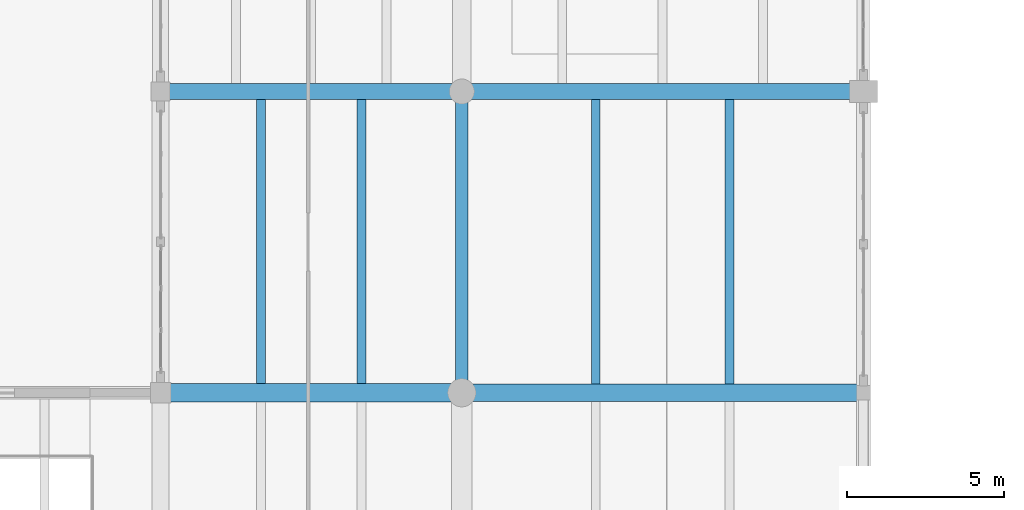
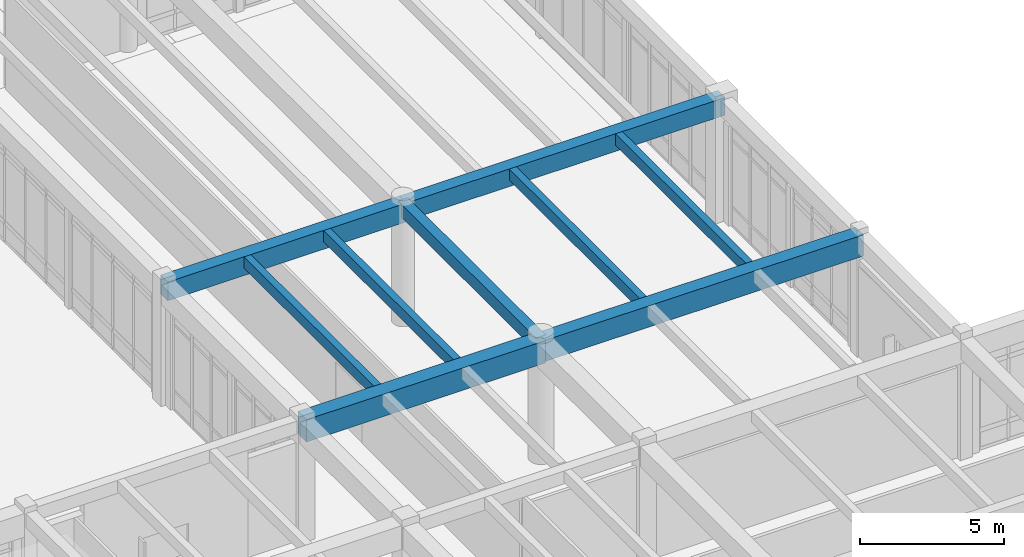
# One storey, part 68 of 138: 9 beams.
"""IFC4 building model written with IfcOpenShell, lengths in metres."""

from ifc_helpers import new_model, si_unit, direction, frame, origin, origin_2d, place, context, subcontext, project, spatial, rectangle, extrude, material, material_profile, profile_set, type_object, element, save


model = new_model("IFC4")

# Units and contexts
model_context = context("Model", 3, precision=1e-05, world=origin(), true_north=direction((0.0, 1.0)))
body_context = subcontext(model_context, "Body", "Model", "MODEL_VIEW")
ifc_project = project(units=[si_unit("LENGTHUNIT", "METRE"), si_unit("AREAUNIT", "SQUARE_METRE"), si_unit("VOLUMEUNIT", "CUBIC_METRE"), si_unit("PLANEANGLEUNIT", "RADIAN"), si_unit("MASSUNIT", "GRAM", prefix="KILO")], contexts=[model_context])

# Site, building, storey
site_placement = place(None, origin())
site = spatial("IfcSite", under=ifc_project, at=site_placement, CompositionType="ELEMENT")
building_placement = place(site_placement, origin())
building = spatial("IfcBuilding", under=site, at=building_placement, Name="Fikremerkos Civic Library", CompositionType="ELEMENT")
storey_placement = place(building_placement, origin())
storey = spatial("IfcBuildingStorey", under=building, at=storey_placement, Name="L00", CompositionType="ELEMENT", Elevation=0.0)

# Beams
ifc_material = material(Name="Concrete C40/50", Category="concrete")
ifc_material_profile_1 = material_profile(ifc_material, rectangle(XDim=0.280029296875, YDim=0.47998046875, at=origin_2d()), Name="RC 280x480")
ifc_profile_set_1 = profile_set([ifc_material_profile_1], Name="Concrete C40/50")
beam_type_1 = type_object("IfcBeamType", Name="Floor joist JS-04 RC 280x480", PredefinedType="JOIST", material=ifc_profile_set_1)
for number, where, z_axis, x_axis, name in (
    (1, (128.0, 48.300048828125, 4.919921875), (0.0, 1.0, 0.0), (-1.0, 0.0, 0.0), "Floor joist JS-04 L00 #362"),
    (2, (131.199951171875, 48.300048828125, 4.919921875), (0.0, 1.0, 0.0), (-1.0, 0.0, 0.0), "Floor joist JS-04 L00 #363"),
):
    element("IfcBeam", number, at=place(storey_placement, frame(where, z_axis=z_axis, x_axis=x_axis)), inside=storey, type_object=beam_type_1, Name=name, PredefinedType="JOIST", context=body_context, shape_type="SweptSolid", body=[
        extrude(rectangle(XDim=0.280029296875, YDim=0.47998046875, at=origin_2d()), origin(), (0.0, 0.0, 1.0), 9.050048828125),
    ])
for number, where, z_axis, x_axis, name in (
    (3, (138.666748046875, 48.27490234375, 4.919921875), (0.0, 1.0, 0.0), (-1.0, 0.0, 0.0), "Floor joist JS-04 L00 #377"),
    (4, (142.933349609375, 48.27490234375, 4.919921875), (0.0, 1.0, 0.0), (-1.0, 0.0, 0.0), "Floor joist JS-04 L00 #378"),
):
    element("IfcBeam", number, at=place(storey_placement, frame(where, z_axis=z_axis, x_axis=x_axis)), inside=storey, type_object=beam_type_1, Name=name, PredefinedType="JOIST", context=body_context, shape_type="SweptSolid", body=[
        extrude(rectangle(XDim=0.280029296875, YDim=0.47998046875, at=origin_2d()), origin(), (0.0, 0.0, 1.0), 9.0751953125),
    ])
ifc_material_profile_2 = material_profile(ifc_material, rectangle(XDim=0.60009765625, YDim=0.949951171875, at=origin_2d()), Name="RC 600x950")
ifc_profile_set_2 = profile_set([ifc_material_profile_2], Name="Concrete C40/50")
beam_type_2 = type_object("IfcBeamType", Name="Primary girder BM-01 RC 600x950", PredefinedType="BEAM", material=ifc_profile_set_2)
beam_1_placement = place(storey_placement, frame((124.800048828125, 48.0, 4.68505859375), z_axis=(1.0, 0.0, 0.0), x_axis=(0.0, 1.0, 0.0)))
element("IfcBeam", 5, at=beam_1_placement, inside=storey, type_object=beam_type_2, Name="Primary girder BM-01 L00 grid J", PredefinedType="BEAM", context=body_context, shape_type="SweptSolid", body=[
    extrude(rectangle(XDim=0.60009765625, YDim=0.949951171875, at=origin_2d()), origin(), (0.0, 0.0, 1.0), 9.599853515625),
])
ifc_material_profile_3 = material_profile(ifc_material, rectangle(XDim=0.550048828125, YDim=0.89990234375, at=origin_2d()), Name="RC 550x900")
ifc_profile_set_3 = profile_set([ifc_material_profile_3], Name="Concrete C40/50")
beam_type_3 = type_object("IfcBeamType", Name="Primary girder BM-02 RC 550x900", PredefinedType="BEAM", material=ifc_profile_set_3)
beam_2_placement = place(storey_placement, frame((134.39990234375, 48.0, 4.7099609375), z_axis=(1.0, 0.0, 0.0), x_axis=(0.0, 1.0, 0.0)))
element("IfcBeam", 6, at=beam_2_placement, inside=storey, type_object=beam_type_3, Name="Primary girder BM-02 L00 grid J", PredefinedType="BEAM", context=body_context, shape_type="SweptSolid", body=[
    extrude(rectangle(XDim=0.550048828125, YDim=0.89990234375, at=origin_2d()), origin(), (0.0, 0.0, 1.0), 12.800048828125),
])
ifc_material_profile_4 = material_profile(ifc_material, rectangle(XDim=0.5, YDim=0.800048828125, at=origin_2d()), Name="RC 500x800")
ifc_profile_set_4 = profile_set([ifc_material_profile_4], Name="Concrete C40/50")
beam_type_4 = type_object("IfcBeamType", Name="Primary girder BM-04 RC 500x800", PredefinedType="BEAM", material=ifc_profile_set_4)
beam_3_placement = place(storey_placement, frame((124.800048828125, 57.60009765625, 4.760009765625), z_axis=(1.0, 0.0, 0.0), x_axis=(0.0, 1.0, 0.0)))
element("IfcBeam", 7, at=beam_3_placement, inside=storey, type_object=beam_type_4, Name="Primary girder BM-04 L00 grid K", PredefinedType="BEAM", context=body_context, shape_type="SweptSolid", body=[
    extrude(rectangle(XDim=0.5, YDim=0.800048828125, at=origin_2d()), origin(), (0.0, 0.0, 1.0), 9.599853515625),
])
ifc_material_profile_5 = material_profile(ifc_material, rectangle(XDim=0.5, YDim=0.75, at=origin_2d()), Name="RC 500x750")
ifc_profile_set_5 = profile_set([ifc_material_profile_5], Name="Concrete C40/50")
beam_type_5 = type_object("IfcBeamType", Name="Primary girder BM-05 RC 500x750", PredefinedType="BEAM", material=ifc_profile_set_5)
beam_4_placement = place(storey_placement, frame((134.39990234375, 57.60009765625, 4.784912109375), z_axis=(1.0, 0.0, 0.0), x_axis=(0.0, 1.0, 0.0)))
element("IfcBeam", 8, at=beam_4_placement, inside=storey, type_object=beam_type_5, Name="Primary girder BM-05 L00 grid K", PredefinedType="BEAM", context=body_context, shape_type="SweptSolid", body=[
    extrude(rectangle(XDim=0.5, YDim=0.75, at=origin_2d()), origin(), (0.0, 0.0, 1.0), 12.800048828125),
])
ifc_material_profile_6 = material_profile(ifc_material, rectangle(XDim=0.39990234375, YDim=0.550048828125, at=origin_2d()), Name="RC 400x550")
ifc_profile_set_6 = profile_set([ifc_material_profile_6], Name="Concrete C40/50")
beam_type_6 = type_object("IfcBeamType", Name="Primary girder BM-26 RC 400x550", PredefinedType="BEAM", material=ifc_profile_set_6)
beam_5_placement = place(storey_placement, frame((134.39990234375, 48.0, 4.885009765625), z_axis=(0.0, 1.0, 0.0), x_axis=(-1.0, 0.0, 0.0)))
element("IfcBeam", 9, at=beam_5_placement, inside=storey, type_object=beam_type_6, Name="Primary girder BM-26 L00 grid 12", PredefinedType="BEAM", context=body_context, shape_type="SweptSolid", body=[
    extrude(rectangle(XDim=0.39990234375, YDim=0.550048828125, at=origin_2d()), origin(), (0.0, 0.0, 1.0), 9.60009765625),
])

save(model, "model.ifc")
